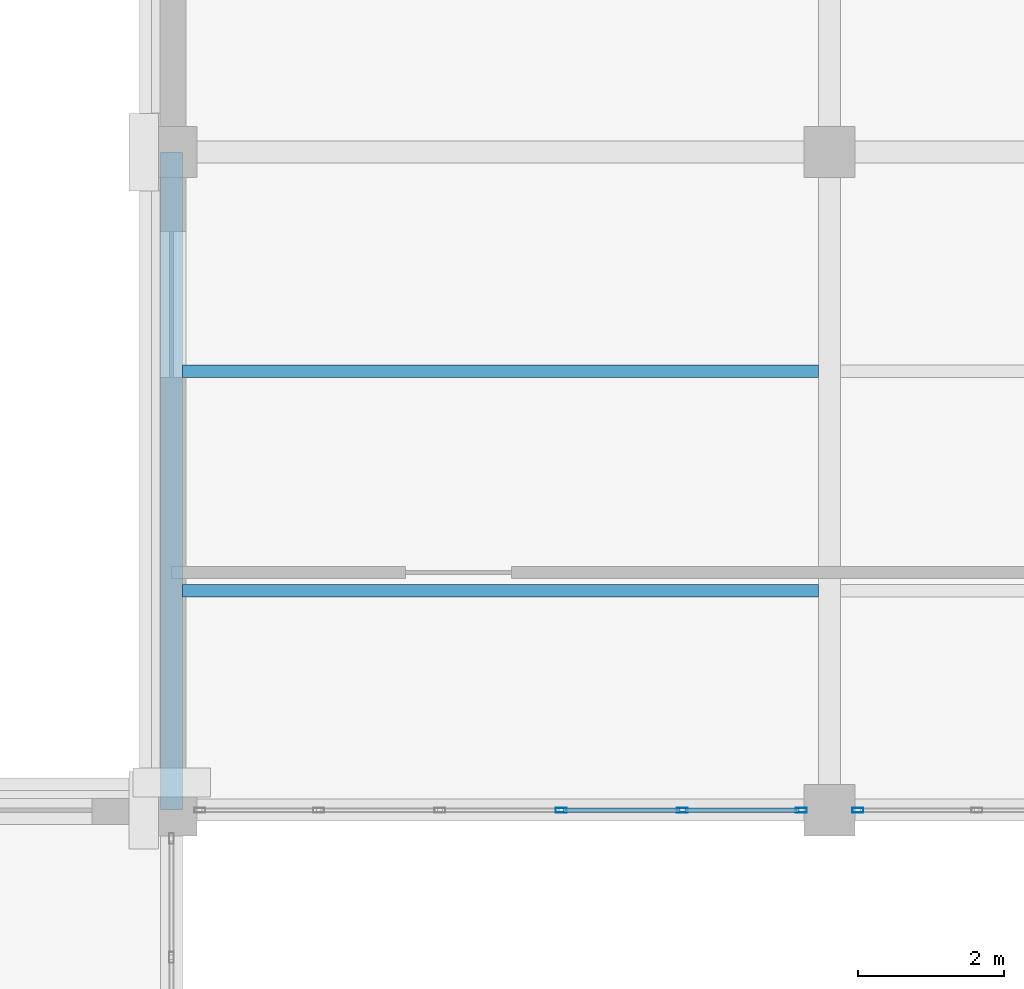
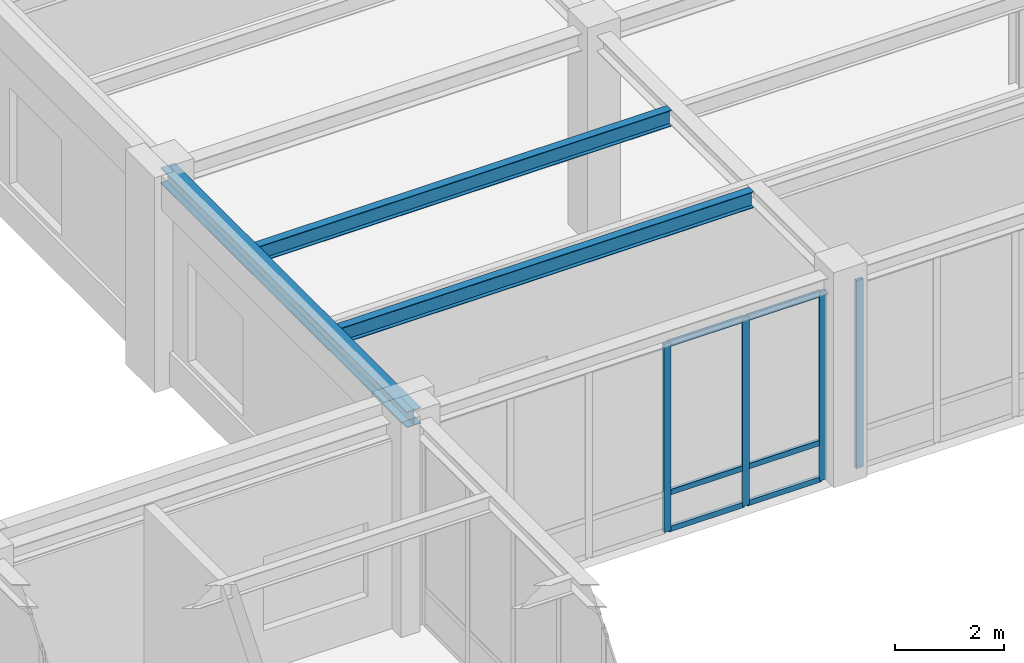
# One storey, part 61 of 92: 10 members, 3 beams, 2 elements without a shape of their own.
"""IFC4 building model written with IfcOpenShell, lengths in metres."""

import ifcopenshell
import ifcopenshell.guid

model = None  # the IFC model being written
_history = None  # IfcOwnerHistory: only IFC2X3 demands one
_inside = {}  # id of a spatial element -> (the spatial element, [elements in it])
_under = {}  # id of a project, library or spatial element -> (it, [spatial elements below it])
_declared = {}  # id of a project -> (the project, [libraries it declares])
_typed = {}  # id of a type object -> (the type object, [elements of that type])
_made_of = {}  # id of a material, layer set ... -> (it, [elements and type objects made of it])


def new_model(schema):
    """Start an empty IFC model of exactly this schema.

    Asked for "IFC4X3", IfcOpenShell would pick the latest addendum, in which some entities
    have other attributes; the version numbers below select the first issue.
    IFC2X3 requires an IfcOwnerHistory on every rooted entity: one is made here for all.
    """
    global model, _history
    if schema == "IFC4X3":
        model = ifcopenshell.file(schema_version=(4, 3, 0, 0))
    else:
        model = ifcopenshell.file(schema=schema)
    _inside.clear()
    _under.clear()
    _declared.clear()
    _typed.clear()
    _made_of.clear()
    _history = None
    if model.schema == "IFC2X3":
        org = make("IfcOrganization", Name="unknown")
        user = make(
            "IfcPersonAndOrganization",
            ThePerson=make("IfcPerson", FamilyName="unknown"),
            TheOrganization=org,
        )
        app = make(
            "IfcApplication",
            ApplicationDeveloper=org,
            Version="unknown",
            ApplicationFullName="unknown",
            ApplicationIdentifier="unknown",
        )
        _history = make(
            "IfcOwnerHistory",
            OwningUser=user,
            OwningApplication=app,
            ChangeAction="ADDED",
            CreationDate=0,
        )
    return model


def make(cls, **values):
    """One entity of the class cls with the attributes given. An attribute that is None is left unset."""
    return model.create_entity(
        cls, **{name: value for name, value in values.items() if value is not None}
    )


def rooted(cls, **values):
    """An entity with a GlobalId (a new one), such as an element, a storey or a relation."""
    return make(cls, GlobalId=ifcopenshell.guid.new(), OwnerHistory=_history, **values)


def si_unit(unit_type, name, prefix=None):
    """IfcSIUnit, for example si_unit("LENGTHUNIT", "METRE", prefix="MILLI")."""
    return make("IfcSIUnit", UnitType=unit_type, Prefix=prefix, Name=name)


def assignment(units):
    """IfcUnitAssignment: the units of a project."""
    return None if units is None else make("IfcUnitAssignment", Units=units)


def point(xyz):
    """IfcCartesianPoint."""
    return None if xyz is None else make("IfcCartesianPoint", Coordinates=xyz)


def direction(xyz):
    """IfcDirection."""
    return None if xyz is None else make("IfcDirection", DirectionRatios=xyz)


def frame(location, z_axis=None, x_axis=None):
    """IfcAxis2Placement3D, a coordinate frame: its origin and axes. An axis left out is left unset."""
    return make(
        "IfcAxis2Placement3D",
        Location=point(location),
        Axis=direction(z_axis),
        RefDirection=direction(x_axis),
    )


def frame_2d(location, x_axis=None):
    """IfcAxis2Placement2D, a coordinate frame in the plane: its origin and x axis."""
    return make(
        "IfcAxis2Placement2D", Location=point(location), RefDirection=direction(x_axis)
    )


def origin():
    """The frame at (0, 0, 0) with its axes left unset."""
    return frame((0.0, 0.0, 0.0))


def origin_2d():
    """The frame at (0, 0) in the plane with its x axis left unset."""
    return frame_2d((0.0, 0.0))


def place(relative_to, where):
    """IfcLocalPlacement: puts the frame where relative to a parent placement (None: the world)."""
    return make(
        "IfcLocalPlacement", PlacementRelTo=relative_to, RelativePlacement=where
    )


def context(
    kind, dimensions, precision=None, world=None, true_north=None, identifier=None
):
    """IfcGeometricRepresentationContext, for example the 3D "Model" context."""
    return make(
        "IfcGeometricRepresentationContext",
        ContextIdentifier=identifier,
        ContextType=kind,
        CoordinateSpaceDimension=dimensions,
        Precision=precision,
        WorldCoordinateSystem=world,
        TrueNorth=true_north,
    )


def subcontext(parent, identifier, kind, view, scale=None):
    """IfcGeometricRepresentationSubContext, for example "Body" below "Model"."""
    return make(
        "IfcGeometricRepresentationSubContext",
        ContextIdentifier=identifier,
        ContextType=kind,
        ParentContext=parent,
        TargetScale=scale,
        TargetView=view,
    )


def project(units=None, contexts=None):
    """IfcProject with its units and contexts."""
    return rooted(
        "IfcProject",
        Name="project",
        RepresentationContexts=contexts,
        UnitsInContext=assignment(units),
    )


def spatial(cls, under=None, at=None, **own):
    """A site, building, storey or space (cls), placed at a placement, below another one or the project."""
    s = rooted(cls, ObjectPlacement=at, **own)
    if under is not None:
        _under.setdefault(under.id(), (under, []))[1].append(s)
    return s


def profile(cls, at=None, kind="AREA", **sizes):
    """A parametric profile (cls). Its sizes go by their IFC names, for example OverallWidth=200.0."""
    return make(cls, ProfileType=kind, Position=at, **sizes)


def hollow_rectangle(**sizes):
    """IfcRectangleHollowProfileDef."""
    return profile("IfcRectangleHollowProfileDef", **sizes)


def i_section(**sizes):
    """IfcIShapeProfileDef."""
    return profile("IfcIShapeProfileDef", **sizes)


def extrude(swept, where, along, depth):
    """IfcExtrudedAreaSolid: the profile swept, set in the frame where, extruded along a direction by depth."""
    return make(
        "IfcExtrudedAreaSolid",
        SweptArea=swept,
        Position=where,
        ExtrudedDirection=direction(along),
        Depth=depth,
    )


def shape(context_of_items, identifier, shape_type, items):
    """IfcShapeRepresentation: the items that make up one representation, for example the "Body"."""
    return make(
        "IfcShapeRepresentation",
        ContextOfItems=context_of_items,
        RepresentationIdentifier=identifier,
        RepresentationType=shape_type,
        Items=items,
    )


def material(Name=None, Category=None):
    """IfcMaterial."""
    return make("IfcMaterial", Name=Name, Category=Category)


def material_profile(
    of_material, cross_section, Name=None, Category=None, Priority=None
):
    """IfcMaterialProfile: a cross section and its material."""
    return make(
        "IfcMaterialProfile",
        Name=Name,
        Material=of_material,
        Profile=cross_section,
        Priority=Priority,
        Category=Category,
    )


def profile_set(profiles, Name=None, composite=None):
    """IfcMaterialProfileSet."""
    return make(
        "IfcMaterialProfileSet",
        Name=Name,
        MaterialProfiles=profiles,
        CompositeProfile=composite,
    )


def made_of(thing, what):
    """Note that an element or type object is made of a material, layer set ...; save() writes the relation."""
    if what is not None:
        _made_of.setdefault(what.id(), (what, []))[1].append(thing)
    return thing


def type_object(cls, material=None, **own):
    """A type object (cls), such as IfcWallType, which elements share."""
    return made_of(rooted(cls, **own), material)


def element(
    cls,
    number,
    at=None,
    inside=None,
    cuts=None,
    type_object=None,
    material=None,
    context=None,
    identifier="Body",
    shape_type=None,
    held_by="IfcProductDefinitionShape",
    body=None,
    shapes=None,
    **own,
):
    """One element of the class cls, such as IfcWall. Its Tag is "e" and its number.

    at: its placement. inside: the storey or other place that contains it. cuts: it is an
    opening in that element (IfcRelVoidsElement). A single representation is given by context,
    identifier, shape_type and body (its items); several are given by shapes. held_by: the class
    of the entity that holds the representations. save() writes the other relations.
    """
    e = rooted(cls, Tag="e%d" % number, ObjectPlacement=at, **own)
    if body is not None:
        shapes = [shape(context, identifier, shape_type, body)]
    if shapes is not None:
        e.Representation = make(held_by, Representations=shapes)
    if inside is not None:
        _inside.setdefault(inside.id(), (inside, []))[1].append(e)
    if cuts is not None:
        rooted(
            "IfcRelVoidsElement", RelatingBuildingElement=cuts, RelatedOpeningElement=e
        )
    if type_object is not None:
        _typed.setdefault(type_object.id(), (type_object, []))[1].append(e)
    return made_of(e, material)


def aggregate(whole, parts):
    """IfcRelAggregates: a whole, such as a stair, and the parts it consists of."""
    return rooted("IfcRelAggregates", RelatingObject=whole, RelatedObjects=parts)


def save(model, path):
    """Write the relations noted so far, then the file.

    IfcRelAggregates (storeys below a building ...), IfcRelContainedInSpatialStructure (elements
    in a storey), IfcRelDefinesByType, IfcRelAssociatesMaterial and IfcRelDeclares: one each for
    every whole, place, type object, material and project.
    """
    for whole, parts in _under.values():
        aggregate(whole, parts)
    for where, things in _inside.values():
        rooted(
            "IfcRelContainedInSpatialStructure",
            RelatedElements=things,
            RelatingStructure=where,
        )
    for kind, things in _typed.values():
        rooted("IfcRelDefinesByType", RelatedObjects=things, RelatingType=kind)
    for what, things in _made_of.values():
        rooted("IfcRelAssociatesMaterial", RelatedObjects=things, RelatingMaterial=what)
    for by, libraries in _declared.values():
        rooted("IfcRelDeclares", RelatingContext=by, RelatedDefinitions=libraries)
    model.write(path)


model = new_model("IFC4")

# Units and contexts
model_context = context("Model", 3, precision=1e-05, world=origin(), true_north=direction((0.0, 1.0)))
body_context = subcontext(model_context, "Body", "Model", "MODEL_VIEW")
ifc_project = project(units=[si_unit("LENGTHUNIT", "METRE"), si_unit("AREAUNIT", "SQUARE_METRE"), si_unit("VOLUMEUNIT", "CUBIC_METRE"), si_unit("PLANEANGLEUNIT", "RADIAN"), si_unit("MASSUNIT", "GRAM", prefix="KILO")], contexts=[model_context])

# Site, building, storey
site_placement = place(None, origin())
site = spatial("IfcSite", under=ifc_project, at=site_placement, CompositionType="ELEMENT")
building_placement = place(site_placement, origin())
building = spatial("IfcBuilding", under=site, at=building_placement, Name="Lykobir Media Centre", CompositionType="ELEMENT")
storey_placement = place(building_placement, frame((0.0, 0.0, 5.39990234375)))
storey = spatial("IfcBuildingStorey", under=building, at=storey_placement, Name="L01", CompositionType="ELEMENT", Elevation=5.39990234375)

# Beam
ifc_material_1 = material(Name="Steel S355", Category="steel")
ifc_material_profile_1 = material_profile(ifc_material_1, i_section(OverallWidth=0.300048828125, OverallDepth=0.35009765625, WebThickness=0.010009765625, FlangeThickness=0.017578125, at=origin_2d()), Name="HEA 360")
ifc_profile_set_1 = profile_set([ifc_material_profile_1], Name="Steel S355")
beam_type_1 = type_object("IfcBeamType", Name="BM-HEA360", PredefinedType="BEAM", material=ifc_profile_set_1)
beam_placement = place(storey_placement, frame((99.0, 72.0, 4.385009765625), z_axis=(0.0, 1.0, 0.0), x_axis=(-1.0, 0.0, 0.0)))
element("IfcBeam", 1, at=beam_placement, inside=storey, type_object=beam_type_1, Name="Beam BM-L01-0990-0720-0990-0810-978", PredefinedType="BEAM", context=body_context, shape_type="SweptSolid", body=[
    extrude(i_section(OverallWidth=0.300048828125, OverallDepth=0.35009765625, WebThickness=0.010009765625, FlangeThickness=0.017578125, at=origin_2d()), origin(), (0.0, 0.0, 1.0), 9.0),
])

# Curtain wall, members
ifc_material_2 = material(Name="Anodized Aluminium AW-6060", Category="aluminium")
curtain_wall_type = type_object("IfcCurtainWallType", Name="CW-COURT-A", PredefinedType="NOTDEFINED", material=ifc_material_2)
curtain_wall_1_placement = place(storey_placement, origin())
curtain_wall_1 = element("IfcCurtainWall", 2, at=curtain_wall_1_placement, inside=storey, type_object=curtain_wall_type, Name="Curtain wall CW2-L01-0070", PredefinedType="NOTDEFINED")
ifc_material_profile_2 = material_profile(ifc_material_2, hollow_rectangle(XDim=0.06494140625, YDim=0.14990234375, WallThickness=0.00341796875, at=origin_2d()), Name="ALU MULLION 65x150")
ifc_profile_set_2 = profile_set([ifc_material_profile_2], Name="Anodized Aluminium AW-6060")
member_type_1 = type_object("IfcMemberType", Name="CWM-150", PredefinedType="MULLION", material=ifc_profile_set_2)
member_1_placement = place(storey_placement, frame((107.612548828125, 72.0, 0.0), z_axis=(0.0, 0.0, 1.0), x_axis=(0.0, -1.0, 0.0)))
member_1 = element("IfcMember", 3, at=member_1_placement, type_object=member_type_1, Name="CW2-L01-0070 mullion 1", PredefinedType="MULLION", context=body_context, shape_type="SweptSolid", body=[
    extrude(hollow_rectangle(XDim=0.06494140625, YDim=0.14990234375, WallThickness=0.00341796875, at=origin_2d()), origin(), (0.0, 0.0, 1.0), 4.195068359375),
])
member_2_placement = place(storey_placement, frame((105.987060546875, 72.0, 0.0), z_axis=(0.0, 0.0, 1.0), x_axis=(0.0, -1.0, 0.0)))
member_2 = element("IfcMember", 4, at=member_2_placement, type_object=member_type_1, Name="CW2-L01-0070 mullion 2", PredefinedType="MULLION", context=body_context, shape_type="SweptSolid", body=[
    extrude(hollow_rectangle(XDim=0.06494140625, YDim=0.14990234375, WallThickness=0.00341796875, at=origin_2d()), origin(), (0.0, 0.0, 1.0), 4.195068359375),
])
member_3_placement = place(storey_placement, frame((104.3291015625, 72.0, 0.0), z_axis=(0.0, 0.0, 1.0), x_axis=(0.0, -1.0, 0.0)))
member_3 = element("IfcMember", 5, at=member_3_placement, type_object=member_type_1, Name="CW2-L01-0070 mullion 3", PredefinedType="MULLION", context=body_context, shape_type="SweptSolid", body=[
    extrude(hollow_rectangle(XDim=0.06494140625, YDim=0.14990234375, WallThickness=0.00341796875, at=origin_2d()), origin(), (0.0, 0.0, 1.0), 4.195068359375),
])

# Curtain wall, member
curtain_wall_2_placement = place(storey_placement, origin())
curtain_wall_2 = element("IfcCurtainWall", 6, at=curtain_wall_2_placement, inside=storey, type_object=curtain_wall_type, Name="Curtain wall CW2-L01-0071", PredefinedType="NOTDEFINED")
member_4_placement = place(storey_placement, frame((108.387451171875, 72.0, 0.0), z_axis=(0.0, 0.0, 1.0), x_axis=(0.0, -1.0, 0.0)))
member_4 = element("IfcMember", 7, at=member_4_placement, type_object=member_type_1, Name="CW2-L01-0071 mullion 6", PredefinedType="MULLION", context=body_context, shape_type="SweptSolid", body=[
    extrude(hollow_rectangle(XDim=0.06494140625, YDim=0.14990234375, WallThickness=0.00341796875, at=origin_2d()), origin(), (0.0, 0.0, 1.0), 4.195068359375),
])
aggregate(curtain_wall_2, [member_4])

# Member
ifc_material_profile_3 = material_profile(ifc_material_2, hollow_rectangle(XDim=0.06494140625, YDim=0.1201171875, WallThickness=0.0029296875, at=origin_2d()), Name="ALU TRANSOM 65x120")
ifc_profile_set_3 = profile_set([ifc_material_profile_3], Name="Anodized Aluminium AW-6060")
member_type_2 = type_object("IfcMemberType", Name="CWT-120", PredefinedType="USERDEFINED", material=ifc_profile_set_3)
member_5_placement = place(storey_placement, frame((107.580078125, 72.0, 0.03271484375), z_axis=(-1.0, 0.0, 0.0), x_axis=(0.0, -1.0, 0.0)))
member_5 = element("IfcMember", 8, at=member_5_placement, type_object=member_type_2, Name="CW2-L01-0070 transom 1.1", ObjectType="TRANSOM", PredefinedType="USERDEFINED", context=body_context, shape_type="SweptSolid", body=[
    extrude(hollow_rectangle(XDim=0.06494140625, YDim=0.1201171875, WallThickness=0.0029296875, at=origin_2d()), origin(), (0.0, 0.0, 1.0), 1.560546875),
])

member_6_placement = place(storey_placement, frame((107.580078125, 72.0, 0.85009765625), z_axis=(-1.0, 0.0, 0.0), x_axis=(0.0, -1.0, 0.0)))
member_6 = element("IfcMember", 9, at=member_6_placement, type_object=member_type_2, Name="CW2-L01-0070 transom 1.2", ObjectType="TRANSOM", PredefinedType="USERDEFINED", context=body_context, shape_type="SweptSolid", body=[
    extrude(hollow_rectangle(XDim=0.06494140625, YDim=0.1201171875, WallThickness=0.0029296875, at=origin_2d()), origin(), (0.0, 0.0, 1.0), 1.560546875),
])

member_7_placement = place(storey_placement, frame((107.580078125, 72.0, 4.16259765625), z_axis=(-1.0, 0.0, 0.0), x_axis=(0.0, -1.0, 0.0)))
member_7 = element("IfcMember", 10, at=member_7_placement, type_object=member_type_2, Name="CW2-L01-0070 transom 1.3", ObjectType="TRANSOM", PredefinedType="USERDEFINED", context=body_context, shape_type="SweptSolid", body=[
    extrude(hollow_rectangle(XDim=0.06494140625, YDim=0.1201171875, WallThickness=0.0029296875, at=origin_2d()), origin(), (0.0, 0.0, 1.0), 1.560546875),
])

member_8_placement = place(storey_placement, frame((105.95458984375, 72.0, 0.03271484375), z_axis=(-1.0, 0.0, 0.0), x_axis=(0.0, -1.0, 0.0)))
member_8 = element("IfcMember", 11, at=member_8_placement, type_object=member_type_2, Name="CW2-L01-0070 transom 2.1", ObjectType="TRANSOM", PredefinedType="USERDEFINED", context=body_context, shape_type="SweptSolid", body=[
    extrude(hollow_rectangle(XDim=0.06494140625, YDim=0.1201171875, WallThickness=0.0029296875, at=origin_2d()), origin(), (0.0, 0.0, 1.0), 1.593017578125),
])

member_9_placement = place(storey_placement, frame((105.95458984375, 72.0, 0.85009765625), z_axis=(-1.0, 0.0, 0.0), x_axis=(0.0, -1.0, 0.0)))
member_9 = element("IfcMember", 12, at=member_9_placement, type_object=member_type_2, Name="CW2-L01-0070 transom 2.2", ObjectType="TRANSOM", PredefinedType="USERDEFINED", context=body_context, shape_type="SweptSolid", body=[
    extrude(hollow_rectangle(XDim=0.06494140625, YDim=0.1201171875, WallThickness=0.0029296875, at=origin_2d()), origin(), (0.0, 0.0, 1.0), 1.593017578125),
])

member_10_placement = place(storey_placement, frame((105.95458984375, 72.0, 4.16259765625), z_axis=(-1.0, 0.0, 0.0), x_axis=(0.0, -1.0, 0.0)))
member_10 = element("IfcMember", 13, at=member_10_placement, type_object=member_type_2, Name="CW2-L01-0070 transom 2.3", ObjectType="TRANSOM", PredefinedType="USERDEFINED", context=body_context, shape_type="SweptSolid", body=[
    extrude(hollow_rectangle(XDim=0.06494140625, YDim=0.1201171875, WallThickness=0.0029296875, at=origin_2d()), origin(), (0.0, 0.0, 1.0), 1.593017578125),
])

aggregate(curtain_wall_1, [member_1, member_2, member_3, member_5, member_6, member_7, member_8, member_9, member_10])

# Beams
ifc_material_profile_4 = material_profile(ifc_material_1, i_section(OverallWidth=0.169921875, OverallDepth=0.360107421875, WebThickness=0.008056640625, FlangeThickness=0.0126953125, at=origin_2d()), Name="IPE 360")
ifc_profile_set_4 = profile_set([ifc_material_profile_4], Name="Steel S355")
beam_type_2 = type_object("IfcBeamType", Name="JS-IPE360", PredefinedType="JOIST", material=ifc_profile_set_4)
for number, where, z_axis, x_axis, name in (
    (14, (99.14990234375, 75.0, 4.380126953125), (1.0, 0.0, 0.0), (0.0, 1.0, 0.0), "Beam BM-L01-0992-0750-1078-0750-978"),
    (15, (99.14990234375, 78.0, 4.380126953125), (1.0, 0.0, 0.0), (0.0, 1.0, 0.0), "Beam BM-L01-0992-0780-1078-0780-978"),
):
    element("IfcBeam", number, at=place(storey_placement, frame(where, z_axis=z_axis, x_axis=x_axis)), inside=storey, type_object=beam_type_2, Name=name, PredefinedType="JOIST", context=body_context, shape_type="SweptSolid", body=[
        extrude(i_section(OverallWidth=0.169921875, OverallDepth=0.360107421875, WebThickness=0.008056640625, FlangeThickness=0.0126953125, at=origin_2d()), origin(), (0.0, 0.0, 1.0), 8.7001953125),
    ])

save(model, "model.ifc")
